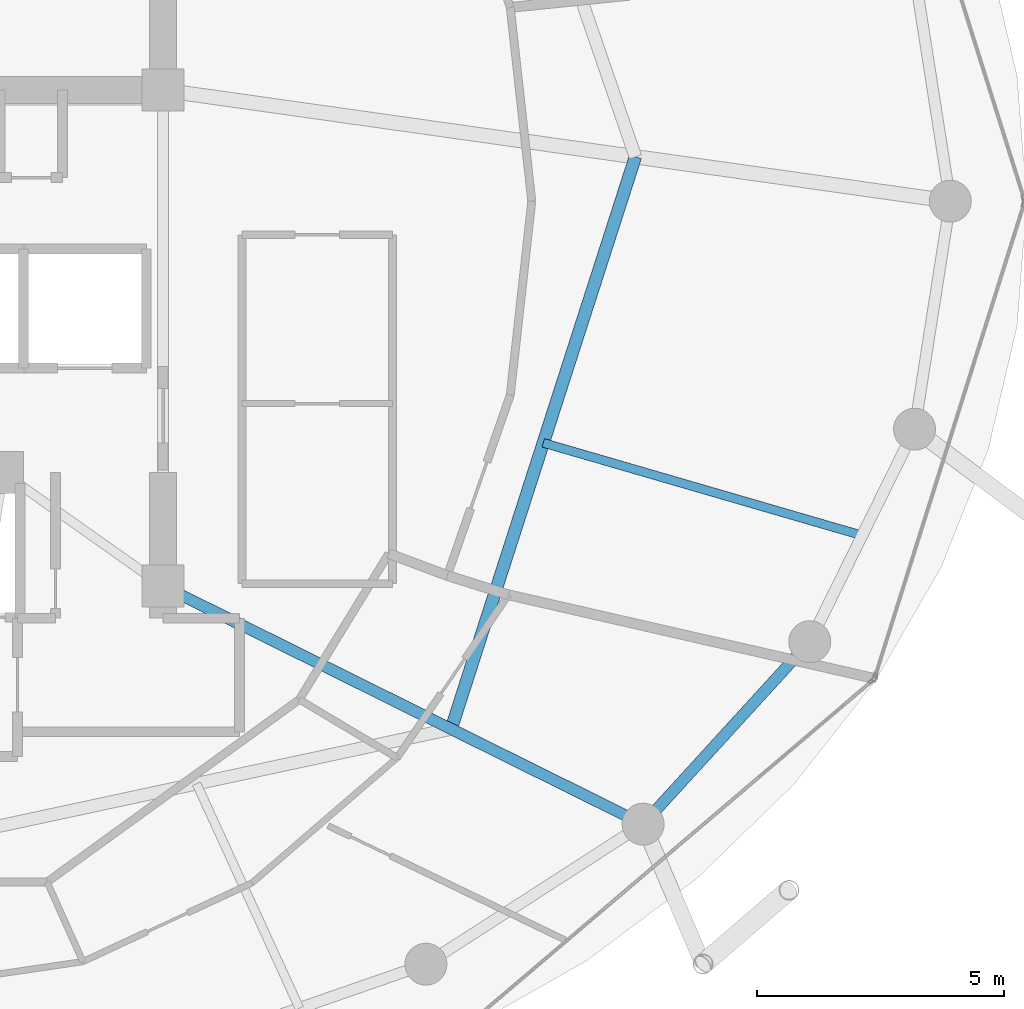
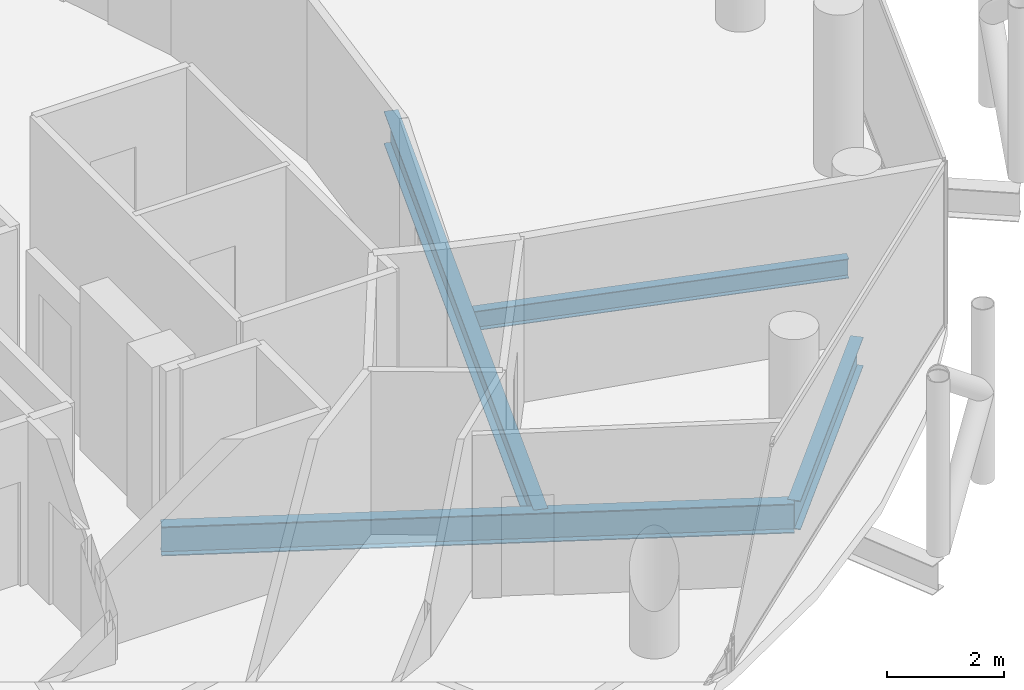
# One storey, part 12 of 27: 4 beams.
"""IFC4 building model written with IfcOpenShell, lengths in metres."""

from ifc_helpers import new_model, si_unit, direction, frame, origin, origin_2d, place, context, subcontext, project, spatial, i_section, extrude, material, material_profile, profile_set, type_object, element, save


model = new_model("IFC4")

# Units and contexts
model_context = context("Model", 3, precision=1e-05, world=origin(), true_north=direction((0.0, 1.0)))
body_context = subcontext(model_context, "Body", "Model", "MODEL_VIEW")
ifc_project = project(units=[si_unit("LENGTHUNIT", "METRE"), si_unit("AREAUNIT", "SQUARE_METRE"), si_unit("VOLUMEUNIT", "CUBIC_METRE"), si_unit("PLANEANGLEUNIT", "RADIAN"), si_unit("MASSUNIT", "GRAM", prefix="KILO")], contexts=[model_context])

# Site, building, storey
site_placement = place(None, origin())
site = spatial("IfcSite", under=ifc_project, at=site_placement, CompositionType="ELEMENT")
building_placement = place(site_placement, origin())
building = spatial("IfcBuilding", under=site, at=building_placement, Name="Nuhasar Tower", CompositionType="ELEMENT")
storey_placement = place(building_placement, frame((0.0, 0.0, 211.800048828125)))
storey = spatial("IfcBuildingStorey", under=building, at=storey_placement, Name="L51", CompositionType="ELEMENT", Elevation=211.800048828125)

# Beams
ifc_material = material(Name="Steel S355", Category="steel")
ifc_material_profile_1 = material_profile(ifc_material, i_section(OverallWidth=0.25390625, OverallDepth=0.68408203125, WebThickness=0.012451171875, FlangeThickness=0.018798828125, at=origin_2d()), Name="W27X94")
ifc_profile_set_1 = profile_set([ifc_material_profile_1], Name="Steel S355")
beam_type_1 = type_object("IfcBeamType", Name="BM-INRING-W27X94", PredefinedType="BEAM", material=ifc_profile_set_1)
beam_1_placement = place(storey_placement, frame((50.135986328125, 16.10693359375, -0.58203125), z_axis=(0.306589852134, 0.951841721385, 0.0), x_axis=(-0.951841721385, 0.306589852134, 0.0)))
element("IfcBeam", 1, at=beam_1_placement, inside=storey, type_object=beam_type_1, Name="L51 Inner Header Beam 03", PredefinedType="BEAM", context=body_context, shape_type="SweptSolid", body=[
    extrude(i_section(OverallWidth=0.25390625, OverallDepth=0.68408203125, WebThickness=0.012451171875, FlangeThickness=0.018798828125, at=origin_2d()), origin(), (0.0, 0.0, 1.0), 12.179443359375),
])
ifc_material_profile_2 = material_profile(ifc_material, i_section(OverallWidth=0.177978515625, OverallDepth=0.406005859375, WebThickness=0.0078125, FlangeThickness=0.0126953125, at=origin_2d()), Name="W16X40")
ifc_profile_set_2 = profile_set([ifc_material_profile_2], Name="Steel S355")
beam_type_2 = type_object("IfcBeamType", Name="BM-JST-W16X40", PredefinedType="JOIST", material=ifc_profile_set_2)
beam_2_placement = place(storey_placement, frame((52.0029296875, 21.904052734375, -0.443115234375), z_axis=(0.960312689798, -0.27892568511, 0.0), x_axis=(0.27892568511, 0.960312689798, 0.0)))
element("IfcBeam", 2, at=beam_2_placement, inside=storey, type_object=beam_type_2, Name="L51 Secondary Floor Joist 03", PredefinedType="JOIST", context=body_context, shape_type="SweptSolid", body=[
    extrude(i_section(OverallWidth=0.177978515625, OverallDepth=0.406005859375, WebThickness=0.0078125, FlangeThickness=0.0126953125, at=origin_2d()), origin(), (0.0, 0.0, 1.0), 6.729248046875),
])
ifc_material_profile_3 = material_profile(ifc_material, i_section(OverallWidth=0.22900390625, OverallDepth=0.612060546875, WebThickness=0.011962890625, FlangeThickness=0.01953125, at=origin_2d()), Name="W24X84")
ifc_profile_set_3 = profile_set([ifc_material_profile_3], Name="Steel S355")
beam_type_3 = type_object("IfcBeamType", Name="BM-RAD-W24X84", PredefinedType="BEAM", material=ifc_profile_set_3)
beam_3_placement = place(storey_placement, frame((44.300048828125, 19.0, -0.546142578125), z_axis=(0.895928935233, -0.444197414459, 0.0), x_axis=(0.444197414459, 0.895928935233, 0.0)))
element("IfcBeam", 3, at=beam_3_placement, inside=storey, type_object=beam_type_3, Name="L51 Radial Floor Girder 03", PredefinedType="BEAM", context=body_context, shape_type="SweptSolid", body=[
    extrude(i_section(OverallWidth=0.22900390625, OverallDepth=0.612060546875, WebThickness=0.011962890625, FlangeThickness=0.01953125, at=origin_2d()), origin(), (0.0, 0.0, 1.0), 10.85546875),
])
ifc_material_profile_4 = material_profile(ifc_material, i_section(OverallWidth=0.22802734375, OverallDepth=0.60791015625, WebThickness=0.01123046875, FlangeThickness=0.017333984375, at=origin_2d()), Name="W24X76")
ifc_profile_set_4 = profile_set([ifc_material_profile_4], Name="Steel S355")
beam_type_4 = type_object("IfcBeamType", Name="BM-RING-W24X76", PredefinedType="SPANDREL", material=ifc_profile_set_4)
beam_4_placement = place(storey_placement, frame((54.02587890625, 14.177978515625, -0.5439453125), z_axis=(0.674449692975, 0.738320805373, 0.0), x_axis=(-0.738320805373, 0.674449692975, 0.0)))
element("IfcBeam", 4, at=beam_4_placement, inside=storey, type_object=beam_type_4, Name="L51 Perimeter Ring Spandrel 22", PredefinedType="SPANDREL", context=body_context, shape_type="SweptSolid", body=[
    extrude(i_section(OverallWidth=0.22802734375, OverallDepth=0.60791015625, WebThickness=0.01123046875, FlangeThickness=0.017333984375, at=origin_2d()), origin(), (0.0, 0.0, 1.0), 5.00732421875),
])

save(model, "model.ifc")
